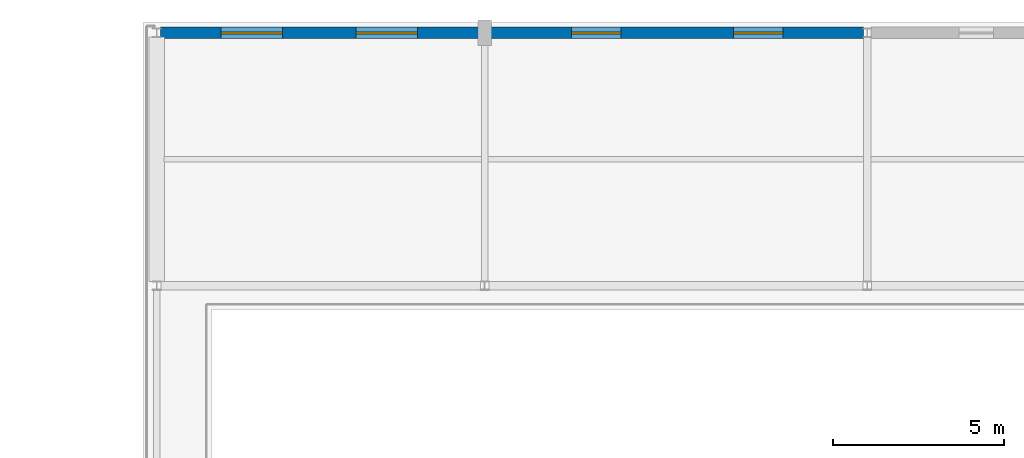
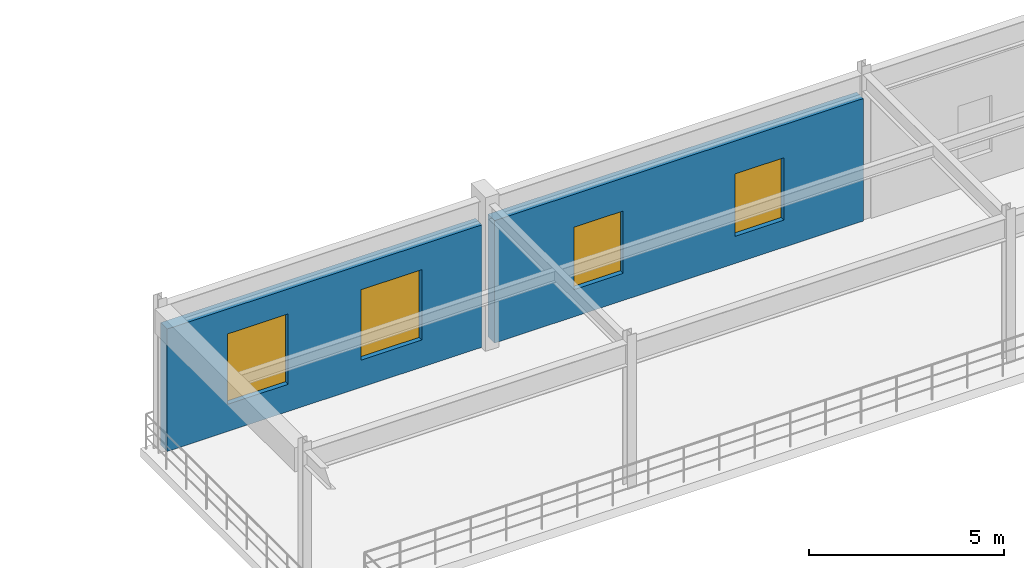
# One storey, part 110 of 144: 4 windows, 2 walls, 4 openings.
"""IFC4 building model written with IfcOpenShell, lengths in metres."""

from ifc_helpers import new_model, si_unit, direction, frame, frame_2d, origin, place, context, subcontext, project, spatial, rectangle, extrude, material, layer, layer_set, type_object, element, fill, save


model = new_model("IFC4")

# Units and contexts
model_context = context("Model", 3, precision=1e-05, world=origin(), true_north=direction((0.0, 1.0)))
body_context = subcontext(model_context, "Body", "Model", "MODEL_VIEW")
ifc_project = project(units=[si_unit("LENGTHUNIT", "METRE"), si_unit("AREAUNIT", "SQUARE_METRE"), si_unit("VOLUMEUNIT", "CUBIC_METRE"), si_unit("PLANEANGLEUNIT", "RADIAN"), si_unit("MASSUNIT", "GRAM", prefix="KILO")], contexts=[model_context])

# Site, building, storey
site_placement = place(None, origin())
site = spatial("IfcSite", under=ifc_project, at=site_placement, CompositionType="ELEMENT")
building_placement = place(site_placement, origin())
building = spatial("IfcBuilding", under=site, at=building_placement, Name="Cinderbank Siding Concert Hall", CompositionType="ELEMENT")
storey_placement = place(building_placement, frame((0.0, 0.0, 5.39990234375)))
storey = spatial("IfcBuildingStorey", under=building, at=storey_placement, Name="L02", CompositionType="ELEMENT", Elevation=5.39990234375)

# Wall, openings, windows
ifc_material_1 = material(Name="Clinker clay brickwork masonry AS 3700 (20 MPa)", Category="masonry")
ifc_layer = layer(ifc_material_1, 0.340087890625)
ifc_layer_set = layer_set([ifc_layer], Name="Clinker clay brickwork masonry AS 3700 (20 MPa)")
wall_type = type_object("IfcWallType", Name="WL-07 Exterior Wall 340mm", PredefinedType="STANDARD", material=ifc_layer_set)
wall_1_placement = place(storey_placement, frame((118.512939453125, 117.89990234375, 0.0), z_axis=(0.0, 0.0, 1.0), x_axis=(1.0, 0.0, 0.0)))
wall_1 = element("IfcWall", 1, at=wall_1_placement, inside=storey, type_object=wall_type, Name="L02 Facade Wall EW-V3-N1-L02", PredefinedType="STANDARD", context=body_context, shape_type="SweptSolid", body=[
    extrude(rectangle(XDim=9.302001953125, YDim=0.340087890625, at=frame_2d((4.65087890625, 0.0))), origin(), (0.0, 0.0, 1.0), 3.8271484375),
])
opening_1_placement = place(wall_1_placement, frame((1.775390625, 0.0, 0.85009765625)))
opening_1 = element("IfcOpeningElement", 2, at=opening_1_placement, cuts=wall_1, Name="Opening WN-08", PredefinedType="OPENING", context=body_context, shape_type="SweptSolid", body=[
    extrude(rectangle(XDim=1.800048828125, YDim=2.199951171875, at=frame_2d((0.89990234375, 1.10009765625))), frame((0.0, 0.18212890625, 0.0), z_axis=(0.0, -1.0, 0.0), x_axis=(1.0, 0.0, 0.0)), (0.0, 0.0, 1.0), 0.364013671875),
])
opening_2_placement = place(wall_1_placement, frame((5.7265625, 0.0, 0.85009765625)))
opening_2 = element("IfcOpeningElement", 3, at=opening_2_placement, cuts=wall_1, Name="Opening WN-08", PredefinedType="OPENING", context=body_context, shape_type="SweptSolid", body=[
    extrude(rectangle(XDim=1.800048828125, YDim=2.199951171875, at=frame_2d((0.89990234375, 1.10009765625))), frame((0.0, 0.18212890625, 0.0), z_axis=(0.0, -1.0, 0.0), x_axis=(1.0, 0.0, 0.0)), (0.0, 0.0, 1.0), 0.364013671875),
])
ifc_material_2 = material(Name="Double-glazed laminated acoustic glass", Category="glass")
window_type_1 = type_object("IfcWindowType", Name="WN-08 Acoustic Casement Window 1800x2200", PartitioningType="DOUBLE_PANEL_VERTICAL", PredefinedType="WINDOW", material=ifc_material_2)
window_1_placement = place(opening_1_placement, origin())
window_1 = element("IfcWindow", 4, at=window_1_placement, inside=storey, type_object=window_type_1, Name="L02 Facade Window #146", OverallHeight=2.199951171875, OverallWidth=1.800048828125, PartitioningType="DOUBLE_PANEL_VERTICAL", PredefinedType="WINDOW", context=body_context, shape_type="SweptSolid", body=[
    extrude(rectangle(XDim=1.800048828125, YDim=2.199951171875, at=frame_2d((0.89990234375, 1.10009765625))), frame((0.0, 0.030029296875, 0.0), z_axis=(0.0, -1.0, 0.0), x_axis=(1.0, 0.0, 0.0)), (0.0, 0.0, 1.0), 0.06005859375),
])
fill(opening_1, window_1)
window_2_placement = place(opening_2_placement, origin())
window_2 = element("IfcWindow", 5, at=window_2_placement, inside=storey, type_object=window_type_1, Name="L02 Facade Window #147", OverallHeight=2.199951171875, OverallWidth=1.800048828125, PartitioningType="DOUBLE_PANEL_VERTICAL", PredefinedType="WINDOW", context=body_context, shape_type="SweptSolid", body=[
    extrude(rectangle(XDim=1.800048828125, YDim=2.199951171875, at=frame_2d((0.89990234375, 1.10009765625))), frame((0.0, 0.030029296875, 0.0), z_axis=(0.0, -1.0, 0.0), x_axis=(1.0, 0.0, 0.0)), (0.0, 0.0, 1.0), 0.06005859375),
])
fill(opening_2, window_2)

wall_2_placement = place(storey_placement, frame((128.18505859375, 117.89990234375, 0.0), z_axis=(0.0, 0.0, 1.0), x_axis=(1.0, 0.0, 0.0)))
wall_2 = element("IfcWall", 6, at=wall_2_placement, inside=storey, type_object=wall_type, Name="L02 Facade Wall EW-V3-N2-L02", PredefinedType="STANDARD", context=body_context, shape_type="SweptSolid", body=[
    extrude(rectangle(XDim=10.90185546875, YDim=0.340087890625, at=frame_2d((5.450927734375, 0.0))), origin(), (0.0, 0.0, 1.0), 3.8271484375),
])
opening_3_placement = place(wall_2_placement, frame((2.3505859375, 0.0, 0.85009765625)))
opening_3 = element("IfcOpeningElement", 7, at=opening_3_placement, cuts=wall_2, Name="Opening WN-14", PredefinedType="OPENING", context=body_context, shape_type="SweptSolid", body=[
    extrude(rectangle(XDim=1.449951171875, YDim=1.949951171875, at=frame_2d((0.72509765625, 0.97509765625))), frame((0.0, 0.18212890625, 0.0), z_axis=(0.0, -1.0, 0.0), x_axis=(1.0, 0.0, 0.0)), (0.0, 0.0, 1.0), 0.364013671875),
])
opening_4_placement = place(wall_2_placement, frame((7.1015625, 0.0, 0.85009765625)))
opening_4 = element("IfcOpeningElement", 8, at=opening_4_placement, cuts=wall_2, Name="Opening WN-14", PredefinedType="OPENING", context=body_context, shape_type="SweptSolid", body=[
    extrude(rectangle(XDim=1.449951171875, YDim=1.949951171875, at=frame_2d((0.72509765625, 0.97509765625))), frame((0.0, 0.18212890625, 0.0), z_axis=(0.0, -1.0, 0.0), x_axis=(1.0, 0.0, 0.0)), (0.0, 0.0, 1.0), 0.364013671875),
])
window_type_2 = type_object("IfcWindowType", Name="WN-14 Acoustic Casement Window 1450x1950", PartitioningType="DOUBLE_PANEL_VERTICAL", PredefinedType="WINDOW", material=ifc_material_2)
window_3_placement = place(opening_3_placement, origin())
window_3 = element("IfcWindow", 9, at=window_3_placement, inside=storey, type_object=window_type_2, Name="L02 Facade Window #152", OverallHeight=1.949951171875, OverallWidth=1.449951171875, PartitioningType="DOUBLE_PANEL_VERTICAL", PredefinedType="WINDOW", context=body_context, shape_type="SweptSolid", body=[
    extrude(rectangle(XDim=1.449951171875, YDim=1.949951171875, at=frame_2d((0.72509765625, 0.97509765625))), frame((0.0, 0.030029296875, 0.0), z_axis=(0.0, -1.0, 0.0), x_axis=(1.0, 0.0, 0.0)), (0.0, 0.0, 1.0), 0.06005859375),
])
fill(opening_3, window_3)
window_4_placement = place(opening_4_placement, origin())
window_4 = element("IfcWindow", 10, at=window_4_placement, inside=storey, type_object=window_type_2, Name="L02 Facade Window #153", OverallHeight=1.949951171875, OverallWidth=1.449951171875, PartitioningType="DOUBLE_PANEL_VERTICAL", PredefinedType="WINDOW", context=body_context, shape_type="SweptSolid", body=[
    extrude(rectangle(XDim=1.449951171875, YDim=1.949951171875, at=frame_2d((0.72509765625, 0.97509765625))), frame((0.0, 0.030029296875, 0.0), z_axis=(0.0, -1.0, 0.0), x_axis=(1.0, 0.0, 0.0)), (0.0, 0.0, 1.0), 0.06005859375),
])
fill(opening_4, window_4)

save(model, "model.ifc")
